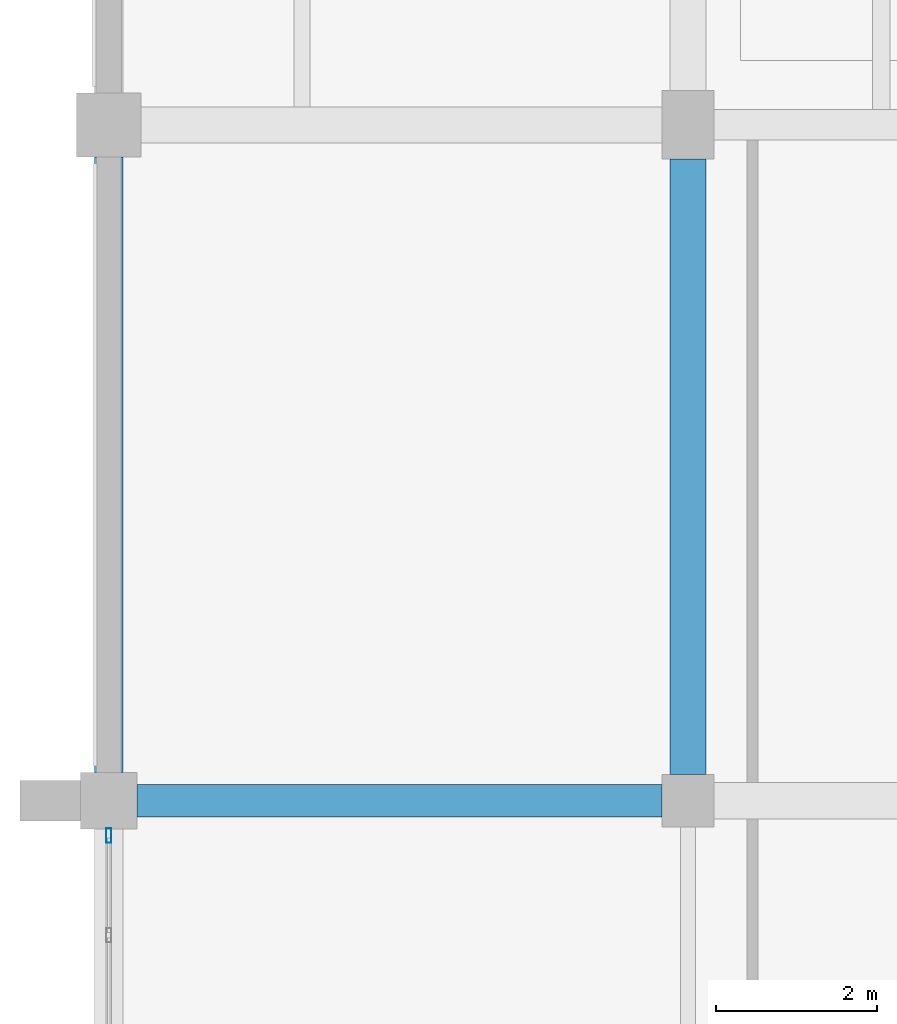
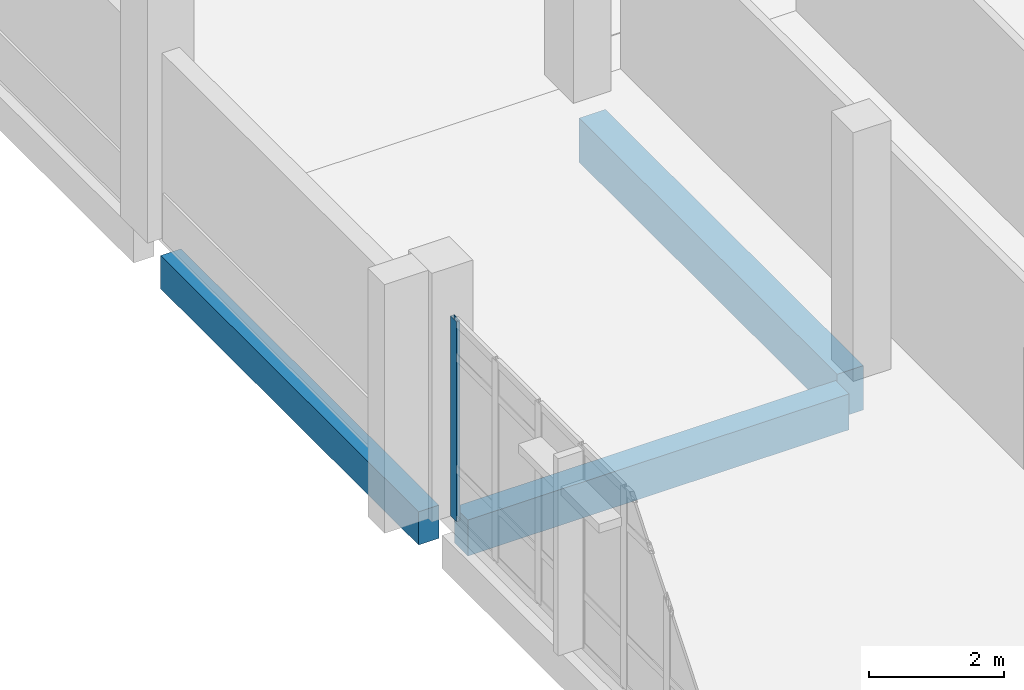
# One storey, part 58 of 116: 3 beams, 1 member, 1 element without a shape of its own.
"""IFC4 building model written with IfcOpenShell, lengths in metres."""

from ifc_helpers import new_model, si_unit, direction, frame, origin, origin_2d, place, context, subcontext, project, spatial, rectangle, hollow_rectangle, extrude, material, material_profile, profile_set, type_object, element, aggregate, save


model = new_model("IFC4")

# Units and contexts
model_context = context("Model", 3, precision=1e-05, world=origin(), true_north=direction((0.0, 1.0)))
body_context = subcontext(model_context, "Body", "Model", "MODEL_VIEW")
ifc_project = project(units=[si_unit("LENGTHUNIT", "METRE"), si_unit("AREAUNIT", "SQUARE_METRE"), si_unit("VOLUMEUNIT", "CUBIC_METRE"), si_unit("PLANEANGLEUNIT", "RADIAN"), si_unit("MASSUNIT", "GRAM", prefix="KILO")], contexts=[model_context])

# Site, building, storey
site_placement = place(None, origin())
site = spatial("IfcSite", under=ifc_project, at=site_placement, CompositionType="ELEMENT")
building_placement = place(site_placement, origin())
building = spatial("IfcBuilding", under=site, at=building_placement, Name="Kalluvel Institute of Natural Sciences", CompositionType="ELEMENT")
storey_placement = place(building_placement, frame((0.0, 0.0, 14.39990234375)))
storey = spatial("IfcBuildingStorey", under=building, at=storey_placement, Name="L03", CompositionType="ELEMENT", Elevation=14.39990234375)

# Beams
ifc_material_1 = material(Name="Concrete M40", Category="concrete")
ifc_material_profile_1 = material_profile(ifc_material_1, rectangle(XDim=0.39990234375, YDim=0.64990234375, at=origin_2d()), Name="RCB 400x650")
ifc_profile_set_1 = profile_set([ifc_material_profile_1], Name="Concrete M40")
beam_type_1 = type_object("IfcBeamType", Name="BM-RC400x650", PredefinedType="BEAM", material=ifc_profile_set_1)
beam_1_placement = place(storey_placement, frame((14.35009765625, 94.39990234375, -0.625), z_axis=(1.0, 0.0, 0.0), x_axis=(0.0, 1.0, 0.0)))
element("IfcBeam", 1, at=beam_1_placement, inside=storey, type_object=beam_type_1, Name="L03 girder GIR-L03-EW-X140-Y944", PredefinedType="BEAM", context=body_context, shape_type="SweptSolid", body=[
    extrude(rectangle(XDim=0.39990234375, YDim=0.64990234375, at=origin_2d()), origin(), (0.0, 0.0, 1.0), 6.52490234375),
])
ifc_material_profile_2 = material_profile(ifc_material_1, rectangle(XDim=0.449951171875, YDim=0.800048828125, at=origin_2d()), Name="RCB 450x800")
ifc_profile_set_2 = profile_set([ifc_material_profile_2], Name="Concrete M40")
beam_type_2 = type_object("IfcBeamType", Name="BM-RC450x800", PredefinedType="BEAM", material=ifc_profile_set_2)
beam_2_placement = place(storey_placement, frame((21.199951171875, 94.72509765625, -0.699951171875), z_axis=(0.0, 1.0, 0.0), x_axis=(-1.0, 0.0, 0.0)))
element("IfcBeam", 2, at=beam_2_placement, inside=storey, type_object=beam_type_2, Name="L03 girder GIR-L03-NS-X212-Y944", PredefinedType="BEAM", context=body_context, shape_type="SweptSolid", body=[
    extrude(rectangle(XDim=0.449951171875, YDim=0.800048828125, at=origin_2d()), origin(), (0.0, 0.0, 1.0), 7.64990234375),
])

# Curtain wall, member
ifc_material_2 = material(Name="Aluminium AW-6063 T6", Category="aluminium")
curtain_wall_type = type_object("IfcCurtainWallType", Name="CW-DRY-45", PredefinedType="USERDEFINED", material=ifc_material_2)
curtain_wall_placement = place(storey_placement, origin())
curtain_wall = element("IfcCurtainWall", 3, at=curtain_wall_placement, inside=storey, type_object=curtain_wall_type, Name="L03 Gothic lancet curtain wall CWA-L03-X140-Y864", ObjectType="UNITISED LANCET FACADE", PredefinedType="USERDEFINED")
ifc_material_profile_3 = material_profile(ifc_material_2, hollow_rectangle(XDim=0.06494140625, YDim=0.179931640625, WallThickness=0.00439453125, at=origin_2d()), Name="CWM 65x180")
ifc_profile_set_3 = profile_set([ifc_material_profile_3], Name="Aluminium AW-6063 T6")
member_type = type_object("IfcMemberType", Name="CWM-65x180", PredefinedType="MULLION", material=ifc_profile_set_3)
member_placement = place(storey_placement, frame((14.0, 93.967529296875, 0.0), z_axis=(0.0, 0.0, 1.0), x_axis=(-1.0, 0.0, 0.0)))
member = element("IfcMember", 4, at=member_placement, type_object=member_type, Name="CW-03 mullion 7", PredefinedType="MULLION", context=body_context, shape_type="SweptSolid", body=[
    extrude(hollow_rectangle(XDim=0.06494140625, YDim=0.179931640625, WallThickness=0.00439453125, at=origin_2d()), origin(), (0.0, 0.0, 1.0), 3.6201171875),
])
aggregate(curtain_wall, [member])

# Beam
ifc_material_profile_4 = material_profile(ifc_material_1, rectangle(XDim=0.35009765625, YDim=0.60009765625, at=origin_2d()), Name="RCB 350x600")
ifc_profile_set_4 = profile_set([ifc_material_profile_4], Name="Concrete M40")
beam_type_3 = type_object("IfcBeamType", Name="SP-RC350x600", PredefinedType="SPANDREL", material=ifc_profile_set_4)
beam_3_placement = place(storey_placement, frame((14.0, 94.75, -0.599853515625), z_axis=(0.0, 1.0, 0.0), x_axis=(-1.0, 0.0, 0.0)))
element("IfcBeam", 5, at=beam_3_placement, inside=storey, type_object=beam_type_3, Name="L03 girder GIR-L03-NS-X140-Y944", PredefinedType="SPANDREL", context=body_context, shape_type="SweptSolid", body=[
    extrude(rectangle(XDim=0.35009765625, YDim=0.60009765625, at=origin_2d()), origin(), (0.0, 0.0, 1.0), 7.64990234375),
])

save(model, "model.ifc")
